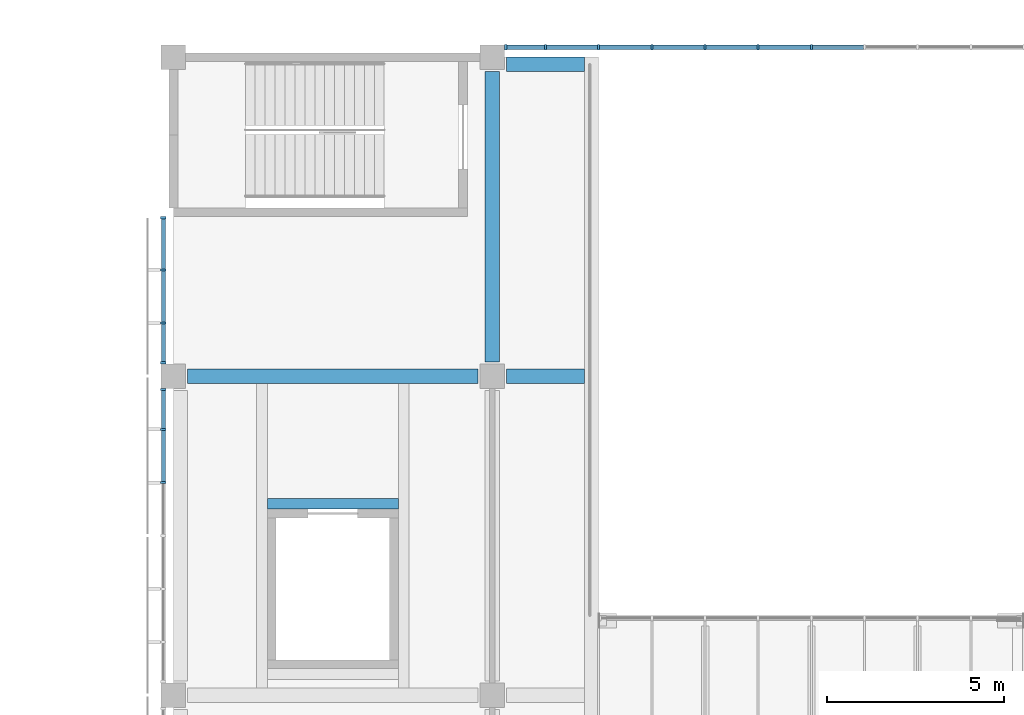
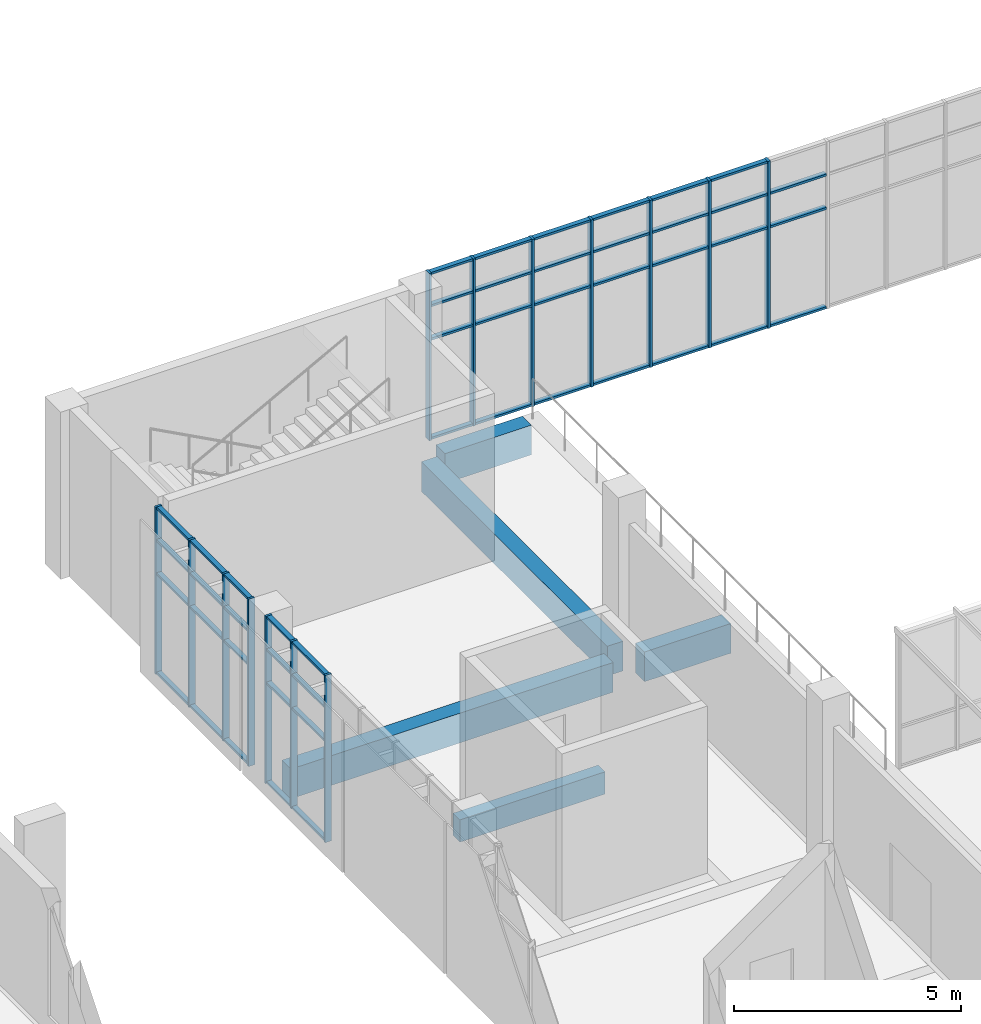
# One storey, part 28 of 106: 61 members, 5 beams, 3 elements without a shape of their own.
"""IFC4 building model written with IfcOpenShell, lengths in metres."""

from ifc_helpers import new_model, si_unit, direction, frame, origin, origin_2d, place, context, subcontext, project, spatial, rectangle, extrude, material, layer, layer_set, material_profile, profile_set, type_object, element, aggregate, save


model = new_model("IFC4")

# Units and contexts
model_context = context("Model", 3, precision=1e-05, world=origin(), true_north=direction((0.0, 1.0)))
body_context = subcontext(model_context, "Body", "Model", "MODEL_VIEW")
ifc_project = project(units=[si_unit("LENGTHUNIT", "METRE"), si_unit("AREAUNIT", "SQUARE_METRE"), si_unit("VOLUMEUNIT", "CUBIC_METRE"), si_unit("PLANEANGLEUNIT", "RADIAN"), si_unit("MASSUNIT", "GRAM", prefix="KILO")], contexts=[model_context])

# Site, building, storey
site_placement = place(None, origin())
site = spatial("IfcSite", under=ifc_project, at=site_placement, CompositionType="ELEMENT")
building_placement = place(site_placement, origin())
building = spatial("IfcBuilding", under=site, at=building_placement, Name="Guidao Yard Department Store", CompositionType="ELEMENT")
storey_placement = place(building_placement, frame((0.0, 0.0, 10.5)))
storey = spatial("IfcBuildingStorey", under=building, at=storey_placement, Name="L02", CompositionType="ELEMENT", Elevation=10.5)

# Beams
ifc_material_1 = material(Name="Concrete C40", Category="concrete")
ifc_material_profile_1 = material_profile(ifc_material_1, rectangle(XDim=0.39990234375, YDim=0.800048828125, at=origin_2d()), Name="Edge beam 400 x 800 C40")
ifc_profile_set_1 = profile_set([ifc_material_profile_1], Name="Concrete C40")
beam_type_1 = type_object("IfcBeamType", Name="Edge beam 400 x 800 C40", PredefinedType="BEAM", material=ifc_profile_set_1)
beam_1_placement = place(storey_placement, frame((81.0, 99.39990234375, -0.39990234375), z_axis=(0.0, 1.0, 0.0), x_axis=(-1.0, 0.0, 0.0)))
element("IfcBeam", 1, at=beam_1_placement, inside=storey, type_object=beam_type_1, Name="Beam EB38", PredefinedType="BEAM", context=body_context, shape_type="SweptSolid", body=[
    extrude(rectangle(XDim=0.39990234375, YDim=0.800048828125, at=origin_2d()), origin(), (0.0, 0.0, 1.0), 8.2001953125),
])
for number, where, z_axis, x_axis, name in (
    (2, (81.39990234375, 99.0, -0.39990234375), (1.0, 0.0, 0.0), (0.0, 1.0, 0.0), "Beam EB43"),
    (3, (81.39990234375, 107.800048828125, -0.39990234375), (1.0, 0.0, 0.0), (0.0, 1.0, 0.0), "Beam EB44"),
):
    element("IfcBeam", number, at=place(storey_placement, frame(where, z_axis=z_axis, x_axis=x_axis)), inside=storey, type_object=beam_type_1, Name=name, PredefinedType="BEAM", context=body_context, shape_type="SweptSolid", body=[
        extrude(rectangle(XDim=0.39990234375, YDim=0.800048828125, at=origin_2d()), origin(), (0.0, 0.0, 1.0), 2.2001953125),
    ])
beam_2_placement = place(storey_placement, frame((72.39990234375, 99.0, -0.39990234375), z_axis=(1.0, 0.0, 0.0), x_axis=(0.0, 1.0, 0.0)))
element("IfcBeam", 4, at=beam_2_placement, inside=storey, type_object=beam_type_1, Name="Beam EB82", PredefinedType="BEAM", context=body_context, shape_type="SweptSolid", body=[
    extrude(rectangle(XDim=0.39990234375, YDim=0.800048828125, at=origin_2d()), origin(), (0.0, 0.0, 1.0), 8.2001953125),
])

# Curtain wall, members
ifc_material_2 = material(Name="Aluminium and glass", Category="aluminium")
ifc_layer = layer(ifc_material_2, 0.159912109375)
ifc_layer_set = layer_set([ifc_layer], Name="Shopfront curtain wall CW1 1500 module")
curtain_wall_type = type_object("IfcCurtainWallType", Name="Shopfront curtain wall CW1 1500 module", PredefinedType="NOTDEFINED", material=ifc_layer_set)
curtain_wall_1_placement = place(storey_placement, origin())
curtain_wall_1 = element("IfcCurtainWall", 5, at=curtain_wall_1_placement, inside=storey, type_object=curtain_wall_type, Name="Arcade shop front", PredefinedType="NOTDEFINED")
ifc_material_3 = material(Name="Aluminium 6063-T5", Category="aluminium")
ifc_material_profile_2 = material_profile(ifc_material_3, rectangle(XDim=0.06005859375, YDim=0.159912109375, at=origin_2d()), Name="Mullion M1 60 x 160 aluminium pressure plate")
ifc_profile_set_2 = profile_set([ifc_material_profile_2], Name="Aluminium 6063-T5")
member_type_1 = type_object("IfcMemberType", Name="Mullion M1 60 x 160 aluminium pressure plate", PredefinedType="MULLION", material=ifc_profile_set_2)
member_1_placement = place(storey_placement, frame((71.719970703125, 96.0, 0.0), z_axis=(0.0, 0.0, 1.0), x_axis=(0.0, 1.0, 0.0)))
member_1 = element("IfcMember", 6, at=member_1_placement, type_object=member_type_1, Name="CW-AS-L02-12 mullion 5", PredefinedType="MULLION", context=body_context, shape_type="SweptSolid", body=[
    extrude(rectangle(XDim=0.06005859375, YDim=0.159912109375, at=origin_2d()), origin(), (0.0, 0.0, 1.0), 4.5),
])
member_2_placement = place(storey_placement, frame((71.719970703125, 97.5, 0.0), z_axis=(0.0, 0.0, 1.0), x_axis=(0.0, 1.0, 0.0)))
member_2 = element("IfcMember", 7, at=member_2_placement, type_object=member_type_1, Name="CW-AS-L02-12 mullion 6", PredefinedType="MULLION", context=body_context, shape_type="SweptSolid", body=[
    extrude(rectangle(XDim=0.06005859375, YDim=0.159912109375, at=origin_2d()), origin(), (0.0, 0.0, 1.0), 4.5),
])
member_3_placement = place(storey_placement, frame((71.719970703125, 98.6201171875, 0.0), z_axis=(0.0, 0.0, 1.0), x_axis=(0.0, 1.0, 0.0)))
member_3 = element("IfcMember", 8, at=member_3_placement, type_object=member_type_1, Name="CW-AS-L02-12 mullion 7", PredefinedType="MULLION", context=body_context, shape_type="SweptSolid", body=[
    extrude(rectangle(XDim=0.06005859375, YDim=0.159912109375, at=origin_2d()), origin(), (0.0, 0.0, 1.0), 4.5),
])

curtain_wall_2_placement = place(storey_placement, origin())
curtain_wall_2 = element("IfcCurtainWall", 9, at=curtain_wall_2_placement, inside=storey, type_object=curtain_wall_type, Name="Arcade shop front", PredefinedType="NOTDEFINED")
member_4_placement = place(storey_placement, frame((71.719970703125, 99.3798828125, 0.0), z_axis=(0.0, 0.0, 1.0), x_axis=(0.0, 1.0, 0.0)))
member_4 = element("IfcMember", 10, at=member_4_placement, type_object=member_type_1, Name="CW-AS-L02-13 mullion 1", PredefinedType="MULLION", context=body_context, shape_type="SweptSolid", body=[
    extrude(rectangle(XDim=0.06005859375, YDim=0.159912109375, at=origin_2d()), origin(), (0.0, 0.0, 1.0), 4.5),
])
member_5_placement = place(storey_placement, frame((71.719970703125, 100.5, 0.0), z_axis=(0.0, 0.0, 1.0), x_axis=(0.0, 1.0, 0.0)))
member_5 = element("IfcMember", 11, at=member_5_placement, type_object=member_type_1, Name="CW-AS-L02-13 mullion 2", PredefinedType="MULLION", context=body_context, shape_type="SweptSolid", body=[
    extrude(rectangle(XDim=0.06005859375, YDim=0.159912109375, at=origin_2d()), origin(), (0.0, 0.0, 1.0), 4.5),
])
member_6_placement = place(storey_placement, frame((71.719970703125, 102.0, 0.0), z_axis=(0.0, 0.0, 1.0), x_axis=(0.0, 1.0, 0.0)))
member_6 = element("IfcMember", 12, at=member_6_placement, type_object=member_type_1, Name="CW-AS-L02-13 mullion 3", PredefinedType="MULLION", context=body_context, shape_type="SweptSolid", body=[
    extrude(rectangle(XDim=0.06005859375, YDim=0.159912109375, at=origin_2d()), origin(), (0.0, 0.0, 1.0), 4.5),
])
member_7_placement = place(storey_placement, frame((71.719970703125, 103.469970703125, 0.0), z_axis=(0.0, 0.0, 1.0), x_axis=(0.0, 1.0, 0.0)))
member_7 = element("IfcMember", 13, at=member_7_placement, type_object=member_type_1, Name="CW-AS-L02-13 mullion 4", PredefinedType="MULLION", context=body_context, shape_type="SweptSolid", body=[
    extrude(rectangle(XDim=0.06005859375, YDim=0.159912109375, at=origin_2d()), origin(), (0.0, 0.0, 1.0), 4.5),
])

curtain_wall_3_placement = place(storey_placement, origin())
curtain_wall_3 = element("IfcCurtainWall", 14, at=curtain_wall_3_placement, inside=storey, type_object=curtain_wall_type, Name="Arcade gable glazing", PredefinedType="NOTDEFINED")
member_8_placement = place(storey_placement, frame((81.3798828125, 108.280029296875, 0.0), z_axis=(0.0, 0.0, 1.0), x_axis=(1.0, 0.0, 0.0)))
member_8 = element("IfcMember", 15, at=member_8_placement, type_object=member_type_1, Name="CW-AG-L02-01 mullion 1", PredefinedType="MULLION", context=body_context, shape_type="SweptSolid", body=[
    extrude(rectangle(XDim=0.06005859375, YDim=0.159912109375, at=origin_2d()), origin(), (0.0, 0.0, 1.0), 4.5),
])
member_9_placement = place(storey_placement, frame((82.5, 108.280029296875, 0.0), z_axis=(0.0, 0.0, 1.0), x_axis=(1.0, 0.0, 0.0)))
member_9 = element("IfcMember", 16, at=member_9_placement, type_object=member_type_1, Name="CW-AG-L02-01 mullion 2", PredefinedType="MULLION", context=body_context, shape_type="SweptSolid", body=[
    extrude(rectangle(XDim=0.06005859375, YDim=0.159912109375, at=origin_2d()), origin(), (0.0, 0.0, 1.0), 4.5),
])
member_10_placement = place(storey_placement, frame((84.0, 108.280029296875, 0.0), z_axis=(0.0, 0.0, 1.0), x_axis=(1.0, 0.0, 0.0)))
member_10 = element("IfcMember", 17, at=member_10_placement, type_object=member_type_1, Name="CW-AG-L02-01 mullion 3", PredefinedType="MULLION", context=body_context, shape_type="SweptSolid", body=[
    extrude(rectangle(XDim=0.06005859375, YDim=0.159912109375, at=origin_2d()), origin(), (0.0, 0.0, 1.0), 4.5),
])
member_11_placement = place(storey_placement, frame((85.5, 108.280029296875, 0.0), z_axis=(0.0, 0.0, 1.0), x_axis=(1.0, 0.0, 0.0)))
member_11 = element("IfcMember", 18, at=member_11_placement, type_object=member_type_1, Name="CW-AG-L02-01 mullion 4", PredefinedType="MULLION", context=body_context, shape_type="SweptSolid", body=[
    extrude(rectangle(XDim=0.06005859375, YDim=0.159912109375, at=origin_2d()), origin(), (0.0, 0.0, 1.0), 4.5),
])
member_12_placement = place(storey_placement, frame((87.0, 108.280029296875, 0.0), z_axis=(0.0, 0.0, 1.0), x_axis=(1.0, 0.0, 0.0)))
member_12 = element("IfcMember", 19, at=member_12_placement, type_object=member_type_1, Name="CW-AG-L02-01 mullion 5", PredefinedType="MULLION", context=body_context, shape_type="SweptSolid", body=[
    extrude(rectangle(XDim=0.06005859375, YDim=0.159912109375, at=origin_2d()), origin(), (0.0, 0.0, 1.0), 4.5),
])
member_13_placement = place(storey_placement, frame((88.5, 108.280029296875, 0.0), z_axis=(0.0, 0.0, 1.0), x_axis=(1.0, 0.0, 0.0)))
member_13 = element("IfcMember", 20, at=member_13_placement, type_object=member_type_1, Name="CW-AG-L02-01 mullion 6", PredefinedType="MULLION", context=body_context, shape_type="SweptSolid", body=[
    extrude(rectangle(XDim=0.06005859375, YDim=0.159912109375, at=origin_2d()), origin(), (0.0, 0.0, 1.0), 4.5),
])
member_14_placement = place(storey_placement, frame((90.0, 108.280029296875, 0.0), z_axis=(0.0, 0.0, 1.0), x_axis=(1.0, 0.0, 0.0)))
member_14 = element("IfcMember", 21, at=member_14_placement, type_object=member_type_1, Name="CW-AG-L02-01 mullion 7", PredefinedType="MULLION", context=body_context, shape_type="SweptSolid", body=[
    extrude(rectangle(XDim=0.06005859375, YDim=0.159912109375, at=origin_2d()), origin(), (0.0, 0.0, 1.0), 4.5),
])

# Beam
ifc_material_4 = material(Name="Concrete C40", Category="concrete")
ifc_material_profile_3 = material_profile(ifc_material_4, rectangle(XDim=0.300048828125, YDim=0.60009765625, at=origin_2d()), Name="Opening beam 300 x 600 C40")
ifc_profile_set_3 = profile_set([ifc_material_profile_3], Name="Concrete C40")
beam_type_2 = type_object("IfcBeamType", Name="Opening beam 300 x 600 C40", PredefinedType="BEAM", material=ifc_profile_set_3)
beam_3_placement = place(storey_placement, frame((74.64990234375, 95.39990234375, -0.300048828125), z_axis=(1.0, 0.0, 0.0), x_axis=(0.0, 1.0, 0.0)))
element("IfcBeam", 22, at=beam_3_placement, inside=storey, type_object=beam_type_2, Name="Beam OB32", PredefinedType="BEAM", context=body_context, shape_type="SweptSolid", body=[
    extrude(rectangle(XDim=0.300048828125, YDim=0.60009765625, at=origin_2d()), origin(), (0.0, 0.0, 1.0), 3.7001953125),
])

# Member
ifc_material_5 = material(Name="Aluminium 6063-T5", Category="aluminium")
ifc_material_profile_4 = material_profile(ifc_material_5, rectangle(XDim=0.1201171875, YDim=0.06005859375, at=origin_2d()), Name="Transom T1 60 x 120 aluminium pressure plate")
ifc_profile_set_4 = profile_set([ifc_material_profile_4], Name="Aluminium 6063-T5")
member_type_2 = type_object("IfcMemberType", Name="Transom T1 60 x 120 aluminium pressure plate", PredefinedType="USERDEFINED", material=ifc_profile_set_4)
member_15_placement = place(storey_placement, frame((71.719970703125, 96.030029296875, 0.030029296875), z_axis=(0.0, 1.0, 0.0), x_axis=(-1.0, 0.0, 0.0)))
member_15 = element("IfcMember", 23, at=member_15_placement, type_object=member_type_2, Name="CW-AS-L02-12 transom 5.1", ObjectType="TRANSOM", PredefinedType="USERDEFINED", context=body_context, shape_type="SweptSolid", body=[
    extrude(rectangle(XDim=0.1201171875, YDim=0.06005859375, at=origin_2d()), origin(), (0.0, 0.0, 1.0), 1.43994140625),
])

member_16_placement = place(storey_placement, frame((71.719970703125, 96.030029296875, 2.699951171875), z_axis=(0.0, 1.0, 0.0), x_axis=(-1.0, 0.0, 0.0)))
member_16 = element("IfcMember", 24, at=member_16_placement, type_object=member_type_2, Name="CW-AS-L02-12 transom 5.2", ObjectType="TRANSOM", PredefinedType="USERDEFINED", context=body_context, shape_type="SweptSolid", body=[
    extrude(rectangle(XDim=0.1201171875, YDim=0.06005859375, at=origin_2d()), origin(), (0.0, 0.0, 1.0), 1.43994140625),
])

member_17_placement = place(storey_placement, frame((71.719970703125, 96.030029296875, 3.60009765625), z_axis=(0.0, 1.0, 0.0), x_axis=(-1.0, 0.0, 0.0)))
member_17 = element("IfcMember", 25, at=member_17_placement, type_object=member_type_2, Name="CW-AS-L02-12 transom 5.3", ObjectType="TRANSOM", PredefinedType="USERDEFINED", context=body_context, shape_type="SweptSolid", body=[
    extrude(rectangle(XDim=0.1201171875, YDim=0.06005859375, at=origin_2d()), origin(), (0.0, 0.0, 1.0), 1.43994140625),
])

member_18_placement = place(storey_placement, frame((71.719970703125, 96.030029296875, 4.469970703125), z_axis=(0.0, 1.0, 0.0), x_axis=(-1.0, 0.0, 0.0)))
member_18 = element("IfcMember", 26, at=member_18_placement, type_object=member_type_2, Name="CW-AS-L02-12 transom 5.4", ObjectType="TRANSOM", PredefinedType="USERDEFINED", context=body_context, shape_type="SweptSolid", body=[
    extrude(rectangle(XDim=0.1201171875, YDim=0.06005859375, at=origin_2d()), origin(), (0.0, 0.0, 1.0), 1.43994140625),
])

member_19_placement = place(storey_placement, frame((71.719970703125, 97.530029296875, 0.030029296875), z_axis=(0.0, 1.0, 0.0), x_axis=(-1.0, 0.0, 0.0)))
member_19 = element("IfcMember", 27, at=member_19_placement, type_object=member_type_2, Name="CW-AS-L02-12 transom 6.1", ObjectType="TRANSOM", PredefinedType="USERDEFINED", context=body_context, shape_type="SweptSolid", body=[
    extrude(rectangle(XDim=0.1201171875, YDim=0.06005859375, at=origin_2d()), origin(), (0.0, 0.0, 1.0), 1.06005859375),
])

member_20_placement = place(storey_placement, frame((71.719970703125, 97.530029296875, 2.699951171875), z_axis=(0.0, 1.0, 0.0), x_axis=(-1.0, 0.0, 0.0)))
member_20 = element("IfcMember", 28, at=member_20_placement, type_object=member_type_2, Name="CW-AS-L02-12 transom 6.2", ObjectType="TRANSOM", PredefinedType="USERDEFINED", context=body_context, shape_type="SweptSolid", body=[
    extrude(rectangle(XDim=0.1201171875, YDim=0.06005859375, at=origin_2d()), origin(), (0.0, 0.0, 1.0), 1.06005859375),
])

member_21_placement = place(storey_placement, frame((71.719970703125, 97.530029296875, 3.60009765625), z_axis=(0.0, 1.0, 0.0), x_axis=(-1.0, 0.0, 0.0)))
member_21 = element("IfcMember", 29, at=member_21_placement, type_object=member_type_2, Name="CW-AS-L02-12 transom 6.3", ObjectType="TRANSOM", PredefinedType="USERDEFINED", context=body_context, shape_type="SweptSolid", body=[
    extrude(rectangle(XDim=0.1201171875, YDim=0.06005859375, at=origin_2d()), origin(), (0.0, 0.0, 1.0), 1.06005859375),
])

member_22_placement = place(storey_placement, frame((71.719970703125, 97.530029296875, 4.469970703125), z_axis=(0.0, 1.0, 0.0), x_axis=(-1.0, 0.0, 0.0)))
member_22 = element("IfcMember", 30, at=member_22_placement, type_object=member_type_2, Name="CW-AS-L02-12 transom 6.4", ObjectType="TRANSOM", PredefinedType="USERDEFINED", context=body_context, shape_type="SweptSolid", body=[
    extrude(rectangle(XDim=0.1201171875, YDim=0.06005859375, at=origin_2d()), origin(), (0.0, 0.0, 1.0), 1.06005859375),
])

aggregate(curtain_wall_1, [member_1, member_2, member_3, member_15, member_16, member_17, member_18, member_19, member_20, member_21, member_22])

member_23_placement = place(storey_placement, frame((71.719970703125, 99.409912109375, 0.030029296875), z_axis=(0.0, 1.0, 0.0), x_axis=(-1.0, 0.0, 0.0)))
member_23 = element("IfcMember", 31, at=member_23_placement, type_object=member_type_2, Name="CW-AS-L02-13 transom 1.1", ObjectType="TRANSOM", PredefinedType="USERDEFINED", context=body_context, shape_type="SweptSolid", body=[
    extrude(rectangle(XDim=0.1201171875, YDim=0.06005859375, at=origin_2d()), origin(), (0.0, 0.0, 1.0), 1.06005859375),
])

member_24_placement = place(storey_placement, frame((71.719970703125, 99.409912109375, 2.699951171875), z_axis=(0.0, 1.0, 0.0), x_axis=(-1.0, 0.0, 0.0)))
member_24 = element("IfcMember", 32, at=member_24_placement, type_object=member_type_2, Name="CW-AS-L02-13 transom 1.2", ObjectType="TRANSOM", PredefinedType="USERDEFINED", context=body_context, shape_type="SweptSolid", body=[
    extrude(rectangle(XDim=0.1201171875, YDim=0.06005859375, at=origin_2d()), origin(), (0.0, 0.0, 1.0), 1.06005859375),
])

member_25_placement = place(storey_placement, frame((71.719970703125, 99.409912109375, 3.60009765625), z_axis=(0.0, 1.0, 0.0), x_axis=(-1.0, 0.0, 0.0)))
member_25 = element("IfcMember", 33, at=member_25_placement, type_object=member_type_2, Name="CW-AS-L02-13 transom 1.3", ObjectType="TRANSOM", PredefinedType="USERDEFINED", context=body_context, shape_type="SweptSolid", body=[
    extrude(rectangle(XDim=0.1201171875, YDim=0.06005859375, at=origin_2d()), origin(), (0.0, 0.0, 1.0), 1.06005859375),
])

member_26_placement = place(storey_placement, frame((71.719970703125, 99.409912109375, 4.469970703125), z_axis=(0.0, 1.0, 0.0), x_axis=(-1.0, 0.0, 0.0)))
member_26 = element("IfcMember", 34, at=member_26_placement, type_object=member_type_2, Name="CW-AS-L02-13 transom 1.4", ObjectType="TRANSOM", PredefinedType="USERDEFINED", context=body_context, shape_type="SweptSolid", body=[
    extrude(rectangle(XDim=0.1201171875, YDim=0.06005859375, at=origin_2d()), origin(), (0.0, 0.0, 1.0), 1.06005859375),
])

member_27_placement = place(storey_placement, frame((71.719970703125, 100.530029296875, 0.030029296875), z_axis=(0.0, 1.0, 0.0), x_axis=(-1.0, 0.0, 0.0)))
member_27 = element("IfcMember", 35, at=member_27_placement, type_object=member_type_2, Name="CW-AS-L02-13 transom 2.1", ObjectType="TRANSOM", PredefinedType="USERDEFINED", context=body_context, shape_type="SweptSolid", body=[
    extrude(rectangle(XDim=0.1201171875, YDim=0.06005859375, at=origin_2d()), origin(), (0.0, 0.0, 1.0), 1.43994140625),
])

member_28_placement = place(storey_placement, frame((71.719970703125, 100.530029296875, 2.699951171875), z_axis=(0.0, 1.0, 0.0), x_axis=(-1.0, 0.0, 0.0)))
member_28 = element("IfcMember", 36, at=member_28_placement, type_object=member_type_2, Name="CW-AS-L02-13 transom 2.2", ObjectType="TRANSOM", PredefinedType="USERDEFINED", context=body_context, shape_type="SweptSolid", body=[
    extrude(rectangle(XDim=0.1201171875, YDim=0.06005859375, at=origin_2d()), origin(), (0.0, 0.0, 1.0), 1.43994140625),
])

member_29_placement = place(storey_placement, frame((71.719970703125, 100.530029296875, 3.60009765625), z_axis=(0.0, 1.0, 0.0), x_axis=(-1.0, 0.0, 0.0)))
member_29 = element("IfcMember", 37, at=member_29_placement, type_object=member_type_2, Name="CW-AS-L02-13 transom 2.3", ObjectType="TRANSOM", PredefinedType="USERDEFINED", context=body_context, shape_type="SweptSolid", body=[
    extrude(rectangle(XDim=0.1201171875, YDim=0.06005859375, at=origin_2d()), origin(), (0.0, 0.0, 1.0), 1.43994140625),
])

member_30_placement = place(storey_placement, frame((71.719970703125, 100.530029296875, 4.469970703125), z_axis=(0.0, 1.0, 0.0), x_axis=(-1.0, 0.0, 0.0)))
member_30 = element("IfcMember", 38, at=member_30_placement, type_object=member_type_2, Name="CW-AS-L02-13 transom 2.4", ObjectType="TRANSOM", PredefinedType="USERDEFINED", context=body_context, shape_type="SweptSolid", body=[
    extrude(rectangle(XDim=0.1201171875, YDim=0.06005859375, at=origin_2d()), origin(), (0.0, 0.0, 1.0), 1.43994140625),
])

member_31_placement = place(storey_placement, frame((71.719970703125, 102.030029296875, 0.030029296875), z_axis=(0.0, 1.0, 0.0), x_axis=(-1.0, 0.0, 0.0)))
member_31 = element("IfcMember", 39, at=member_31_placement, type_object=member_type_2, Name="CW-AS-L02-13 transom 3.1", ObjectType="TRANSOM", PredefinedType="USERDEFINED", context=body_context, shape_type="SweptSolid", body=[
    extrude(rectangle(XDim=0.1201171875, YDim=0.06005859375, at=origin_2d()), origin(), (0.0, 0.0, 1.0), 1.409912109375),
])

member_32_placement = place(storey_placement, frame((71.719970703125, 102.030029296875, 2.699951171875), z_axis=(0.0, 1.0, 0.0), x_axis=(-1.0, 0.0, 0.0)))
member_32 = element("IfcMember", 40, at=member_32_placement, type_object=member_type_2, Name="CW-AS-L02-13 transom 3.2", ObjectType="TRANSOM", PredefinedType="USERDEFINED", context=body_context, shape_type="SweptSolid", body=[
    extrude(rectangle(XDim=0.1201171875, YDim=0.06005859375, at=origin_2d()), origin(), (0.0, 0.0, 1.0), 1.409912109375),
])

member_33_placement = place(storey_placement, frame((71.719970703125, 102.030029296875, 3.60009765625), z_axis=(0.0, 1.0, 0.0), x_axis=(-1.0, 0.0, 0.0)))
member_33 = element("IfcMember", 41, at=member_33_placement, type_object=member_type_2, Name="CW-AS-L02-13 transom 3.3", ObjectType="TRANSOM", PredefinedType="USERDEFINED", context=body_context, shape_type="SweptSolid", body=[
    extrude(rectangle(XDim=0.1201171875, YDim=0.06005859375, at=origin_2d()), origin(), (0.0, 0.0, 1.0), 1.409912109375),
])

member_34_placement = place(storey_placement, frame((71.719970703125, 102.030029296875, 4.469970703125), z_axis=(0.0, 1.0, 0.0), x_axis=(-1.0, 0.0, 0.0)))
member_34 = element("IfcMember", 42, at=member_34_placement, type_object=member_type_2, Name="CW-AS-L02-13 transom 3.4", ObjectType="TRANSOM", PredefinedType="USERDEFINED", context=body_context, shape_type="SweptSolid", body=[
    extrude(rectangle(XDim=0.1201171875, YDim=0.06005859375, at=origin_2d()), origin(), (0.0, 0.0, 1.0), 1.409912109375),
])

aggregate(curtain_wall_2, [member_4, member_5, member_6, member_7, member_23, member_24, member_25, member_26, member_27, member_28, member_29, member_30, member_31, member_32, member_33, member_34])

member_35_placement = place(storey_placement, frame((81.409912109375, 108.280029296875, 0.030029296875), z_axis=(1.0, 0.0, 0.0), x_axis=(0.0, 1.0, 0.0)))
member_35 = element("IfcMember", 43, at=member_35_placement, type_object=member_type_2, Name="CW-AG-L02-01 transom 1.1", ObjectType="TRANSOM", PredefinedType="USERDEFINED", context=body_context, shape_type="SweptSolid", body=[
    extrude(rectangle(XDim=0.1201171875, YDim=0.06005859375, at=origin_2d()), origin(), (0.0, 0.0, 1.0), 1.06005859375),
])

member_36_placement = place(storey_placement, frame((81.409912109375, 108.280029296875, 2.699951171875), z_axis=(1.0, 0.0, 0.0), x_axis=(0.0, 1.0, 0.0)))
member_36 = element("IfcMember", 44, at=member_36_placement, type_object=member_type_2, Name="CW-AG-L02-01 transom 1.2", ObjectType="TRANSOM", PredefinedType="USERDEFINED", context=body_context, shape_type="SweptSolid", body=[
    extrude(rectangle(XDim=0.1201171875, YDim=0.06005859375, at=origin_2d()), origin(), (0.0, 0.0, 1.0), 1.06005859375),
])

member_37_placement = place(storey_placement, frame((81.409912109375, 108.280029296875, 3.60009765625), z_axis=(1.0, 0.0, 0.0), x_axis=(0.0, 1.0, 0.0)))
member_37 = element("IfcMember", 45, at=member_37_placement, type_object=member_type_2, Name="CW-AG-L02-01 transom 1.3", ObjectType="TRANSOM", PredefinedType="USERDEFINED", context=body_context, shape_type="SweptSolid", body=[
    extrude(rectangle(XDim=0.1201171875, YDim=0.06005859375, at=origin_2d()), origin(), (0.0, 0.0, 1.0), 1.06005859375),
])

member_38_placement = place(storey_placement, frame((81.409912109375, 108.280029296875, 4.469970703125), z_axis=(1.0, 0.0, 0.0), x_axis=(0.0, 1.0, 0.0)))
member_38 = element("IfcMember", 46, at=member_38_placement, type_object=member_type_2, Name="CW-AG-L02-01 transom 1.4", ObjectType="TRANSOM", PredefinedType="USERDEFINED", context=body_context, shape_type="SweptSolid", body=[
    extrude(rectangle(XDim=0.1201171875, YDim=0.06005859375, at=origin_2d()), origin(), (0.0, 0.0, 1.0), 1.06005859375),
])

member_39_placement = place(storey_placement, frame((82.530029296875, 108.280029296875, 0.030029296875), z_axis=(1.0, 0.0, 0.0), x_axis=(0.0, 1.0, 0.0)))
member_39 = element("IfcMember", 47, at=member_39_placement, type_object=member_type_2, Name="CW-AG-L02-01 transom 2.1", ObjectType="TRANSOM", PredefinedType="USERDEFINED", context=body_context, shape_type="SweptSolid", body=[
    extrude(rectangle(XDim=0.1201171875, YDim=0.06005859375, at=origin_2d()), origin(), (0.0, 0.0, 1.0), 1.43994140625),
])

member_40_placement = place(storey_placement, frame((82.530029296875, 108.280029296875, 2.699951171875), z_axis=(1.0, 0.0, 0.0), x_axis=(0.0, 1.0, 0.0)))
member_40 = element("IfcMember", 48, at=member_40_placement, type_object=member_type_2, Name="CW-AG-L02-01 transom 2.2", ObjectType="TRANSOM", PredefinedType="USERDEFINED", context=body_context, shape_type="SweptSolid", body=[
    extrude(rectangle(XDim=0.1201171875, YDim=0.06005859375, at=origin_2d()), origin(), (0.0, 0.0, 1.0), 1.43994140625),
])

member_41_placement = place(storey_placement, frame((82.530029296875, 108.280029296875, 3.60009765625), z_axis=(1.0, 0.0, 0.0), x_axis=(0.0, 1.0, 0.0)))
member_41 = element("IfcMember", 49, at=member_41_placement, type_object=member_type_2, Name="CW-AG-L02-01 transom 2.3", ObjectType="TRANSOM", PredefinedType="USERDEFINED", context=body_context, shape_type="SweptSolid", body=[
    extrude(rectangle(XDim=0.1201171875, YDim=0.06005859375, at=origin_2d()), origin(), (0.0, 0.0, 1.0), 1.43994140625),
])

member_42_placement = place(storey_placement, frame((82.530029296875, 108.280029296875, 4.469970703125), z_axis=(1.0, 0.0, 0.0), x_axis=(0.0, 1.0, 0.0)))
member_42 = element("IfcMember", 50, at=member_42_placement, type_object=member_type_2, Name="CW-AG-L02-01 transom 2.4", ObjectType="TRANSOM", PredefinedType="USERDEFINED", context=body_context, shape_type="SweptSolid", body=[
    extrude(rectangle(XDim=0.1201171875, YDim=0.06005859375, at=origin_2d()), origin(), (0.0, 0.0, 1.0), 1.43994140625),
])

member_43_placement = place(storey_placement, frame((84.030029296875, 108.280029296875, 0.030029296875), z_axis=(1.0, 0.0, 0.0), x_axis=(0.0, 1.0, 0.0)))
member_43 = element("IfcMember", 51, at=member_43_placement, type_object=member_type_2, Name="CW-AG-L02-01 transom 3.1", ObjectType="TRANSOM", PredefinedType="USERDEFINED", context=body_context, shape_type="SweptSolid", body=[
    extrude(rectangle(XDim=0.1201171875, YDim=0.06005859375, at=origin_2d()), origin(), (0.0, 0.0, 1.0), 1.43994140625),
])

member_44_placement = place(storey_placement, frame((84.030029296875, 108.280029296875, 2.699951171875), z_axis=(1.0, 0.0, 0.0), x_axis=(0.0, 1.0, 0.0)))
member_44 = element("IfcMember", 52, at=member_44_placement, type_object=member_type_2, Name="CW-AG-L02-01 transom 3.2", ObjectType="TRANSOM", PredefinedType="USERDEFINED", context=body_context, shape_type="SweptSolid", body=[
    extrude(rectangle(XDim=0.1201171875, YDim=0.06005859375, at=origin_2d()), origin(), (0.0, 0.0, 1.0), 1.43994140625),
])

member_45_placement = place(storey_placement, frame((84.030029296875, 108.280029296875, 3.60009765625), z_axis=(1.0, 0.0, 0.0), x_axis=(0.0, 1.0, 0.0)))
member_45 = element("IfcMember", 53, at=member_45_placement, type_object=member_type_2, Name="CW-AG-L02-01 transom 3.3", ObjectType="TRANSOM", PredefinedType="USERDEFINED", context=body_context, shape_type="SweptSolid", body=[
    extrude(rectangle(XDim=0.1201171875, YDim=0.06005859375, at=origin_2d()), origin(), (0.0, 0.0, 1.0), 1.43994140625),
])

member_46_placement = place(storey_placement, frame((84.030029296875, 108.280029296875, 4.469970703125), z_axis=(1.0, 0.0, 0.0), x_axis=(0.0, 1.0, 0.0)))
member_46 = element("IfcMember", 54, at=member_46_placement, type_object=member_type_2, Name="CW-AG-L02-01 transom 3.4", ObjectType="TRANSOM", PredefinedType="USERDEFINED", context=body_context, shape_type="SweptSolid", body=[
    extrude(rectangle(XDim=0.1201171875, YDim=0.06005859375, at=origin_2d()), origin(), (0.0, 0.0, 1.0), 1.43994140625),
])

member_47_placement = place(storey_placement, frame((85.530029296875, 108.280029296875, 0.030029296875), z_axis=(1.0, 0.0, 0.0), x_axis=(0.0, 1.0, 0.0)))
member_47 = element("IfcMember", 55, at=member_47_placement, type_object=member_type_2, Name="CW-AG-L02-01 transom 4.1", ObjectType="TRANSOM", PredefinedType="USERDEFINED", context=body_context, shape_type="SweptSolid", body=[
    extrude(rectangle(XDim=0.1201171875, YDim=0.06005859375, at=origin_2d()), origin(), (0.0, 0.0, 1.0), 1.43994140625),
])

member_48_placement = place(storey_placement, frame((85.530029296875, 108.280029296875, 2.699951171875), z_axis=(1.0, 0.0, 0.0), x_axis=(0.0, 1.0, 0.0)))
member_48 = element("IfcMember", 56, at=member_48_placement, type_object=member_type_2, Name="CW-AG-L02-01 transom 4.2", ObjectType="TRANSOM", PredefinedType="USERDEFINED", context=body_context, shape_type="SweptSolid", body=[
    extrude(rectangle(XDim=0.1201171875, YDim=0.06005859375, at=origin_2d()), origin(), (0.0, 0.0, 1.0), 1.43994140625),
])

member_49_placement = place(storey_placement, frame((85.530029296875, 108.280029296875, 3.60009765625), z_axis=(1.0, 0.0, 0.0), x_axis=(0.0, 1.0, 0.0)))
member_49 = element("IfcMember", 57, at=member_49_placement, type_object=member_type_2, Name="CW-AG-L02-01 transom 4.3", ObjectType="TRANSOM", PredefinedType="USERDEFINED", context=body_context, shape_type="SweptSolid", body=[
    extrude(rectangle(XDim=0.1201171875, YDim=0.06005859375, at=origin_2d()), origin(), (0.0, 0.0, 1.0), 1.43994140625),
])

member_50_placement = place(storey_placement, frame((85.530029296875, 108.280029296875, 4.469970703125), z_axis=(1.0, 0.0, 0.0), x_axis=(0.0, 1.0, 0.0)))
member_50 = element("IfcMember", 58, at=member_50_placement, type_object=member_type_2, Name="CW-AG-L02-01 transom 4.4", ObjectType="TRANSOM", PredefinedType="USERDEFINED", context=body_context, shape_type="SweptSolid", body=[
    extrude(rectangle(XDim=0.1201171875, YDim=0.06005859375, at=origin_2d()), origin(), (0.0, 0.0, 1.0), 1.43994140625),
])

member_51_placement = place(storey_placement, frame((87.030029296875, 108.280029296875, 0.030029296875), z_axis=(1.0, 0.0, 0.0), x_axis=(0.0, 1.0, 0.0)))
member_51 = element("IfcMember", 59, at=member_51_placement, type_object=member_type_2, Name="CW-AG-L02-01 transom 5.1", ObjectType="TRANSOM", PredefinedType="USERDEFINED", context=body_context, shape_type="SweptSolid", body=[
    extrude(rectangle(XDim=0.1201171875, YDim=0.06005859375, at=origin_2d()), origin(), (0.0, 0.0, 1.0), 1.43994140625),
])

member_52_placement = place(storey_placement, frame((87.030029296875, 108.280029296875, 2.699951171875), z_axis=(1.0, 0.0, 0.0), x_axis=(0.0, 1.0, 0.0)))
member_52 = element("IfcMember", 60, at=member_52_placement, type_object=member_type_2, Name="CW-AG-L02-01 transom 5.2", ObjectType="TRANSOM", PredefinedType="USERDEFINED", context=body_context, shape_type="SweptSolid", body=[
    extrude(rectangle(XDim=0.1201171875, YDim=0.06005859375, at=origin_2d()), origin(), (0.0, 0.0, 1.0), 1.43994140625),
])

member_53_placement = place(storey_placement, frame((87.030029296875, 108.280029296875, 3.60009765625), z_axis=(1.0, 0.0, 0.0), x_axis=(0.0, 1.0, 0.0)))
member_53 = element("IfcMember", 61, at=member_53_placement, type_object=member_type_2, Name="CW-AG-L02-01 transom 5.3", ObjectType="TRANSOM", PredefinedType="USERDEFINED", context=body_context, shape_type="SweptSolid", body=[
    extrude(rectangle(XDim=0.1201171875, YDim=0.06005859375, at=origin_2d()), origin(), (0.0, 0.0, 1.0), 1.43994140625),
])

member_54_placement = place(storey_placement, frame((87.030029296875, 108.280029296875, 4.469970703125), z_axis=(1.0, 0.0, 0.0), x_axis=(0.0, 1.0, 0.0)))
member_54 = element("IfcMember", 62, at=member_54_placement, type_object=member_type_2, Name="CW-AG-L02-01 transom 5.4", ObjectType="TRANSOM", PredefinedType="USERDEFINED", context=body_context, shape_type="SweptSolid", body=[
    extrude(rectangle(XDim=0.1201171875, YDim=0.06005859375, at=origin_2d()), origin(), (0.0, 0.0, 1.0), 1.43994140625),
])

member_55_placement = place(storey_placement, frame((88.530029296875, 108.280029296875, 0.030029296875), z_axis=(1.0, 0.0, 0.0), x_axis=(0.0, 1.0, 0.0)))
member_55 = element("IfcMember", 63, at=member_55_placement, type_object=member_type_2, Name="CW-AG-L02-01 transom 6.1", ObjectType="TRANSOM", PredefinedType="USERDEFINED", context=body_context, shape_type="SweptSolid", body=[
    extrude(rectangle(XDim=0.1201171875, YDim=0.06005859375, at=origin_2d()), origin(), (0.0, 0.0, 1.0), 1.43994140625),
])

member_56_placement = place(storey_placement, frame((88.530029296875, 108.280029296875, 2.699951171875), z_axis=(1.0, 0.0, 0.0), x_axis=(0.0, 1.0, 0.0)))
member_56 = element("IfcMember", 64, at=member_56_placement, type_object=member_type_2, Name="CW-AG-L02-01 transom 6.2", ObjectType="TRANSOM", PredefinedType="USERDEFINED", context=body_context, shape_type="SweptSolid", body=[
    extrude(rectangle(XDim=0.1201171875, YDim=0.06005859375, at=origin_2d()), origin(), (0.0, 0.0, 1.0), 1.43994140625),
])

member_57_placement = place(storey_placement, frame((88.530029296875, 108.280029296875, 3.60009765625), z_axis=(1.0, 0.0, 0.0), x_axis=(0.0, 1.0, 0.0)))
member_57 = element("IfcMember", 65, at=member_57_placement, type_object=member_type_2, Name="CW-AG-L02-01 transom 6.3", ObjectType="TRANSOM", PredefinedType="USERDEFINED", context=body_context, shape_type="SweptSolid", body=[
    extrude(rectangle(XDim=0.1201171875, YDim=0.06005859375, at=origin_2d()), origin(), (0.0, 0.0, 1.0), 1.43994140625),
])

member_58_placement = place(storey_placement, frame((88.530029296875, 108.280029296875, 4.469970703125), z_axis=(1.0, 0.0, 0.0), x_axis=(0.0, 1.0, 0.0)))
member_58 = element("IfcMember", 66, at=member_58_placement, type_object=member_type_2, Name="CW-AG-L02-01 transom 6.4", ObjectType="TRANSOM", PredefinedType="USERDEFINED", context=body_context, shape_type="SweptSolid", body=[
    extrude(rectangle(XDim=0.1201171875, YDim=0.06005859375, at=origin_2d()), origin(), (0.0, 0.0, 1.0), 1.43994140625),
])

member_59_placement = place(storey_placement, frame((90.030029296875, 108.280029296875, 0.030029296875), z_axis=(1.0, 0.0, 0.0), x_axis=(0.0, 1.0, 0.0)))
member_59 = element("IfcMember", 67, at=member_59_placement, type_object=member_type_2, Name="CW-AG-L02-01 transom 7.1", ObjectType="TRANSOM", PredefinedType="USERDEFINED", context=body_context, shape_type="SweptSolid", body=[
    extrude(rectangle(XDim=0.1201171875, YDim=0.06005859375, at=origin_2d()), origin(), (0.0, 0.0, 1.0), 1.43994140625),
])

member_60_placement = place(storey_placement, frame((90.030029296875, 108.280029296875, 2.699951171875), z_axis=(1.0, 0.0, 0.0), x_axis=(0.0, 1.0, 0.0)))
member_60 = element("IfcMember", 68, at=member_60_placement, type_object=member_type_2, Name="CW-AG-L02-01 transom 7.2", ObjectType="TRANSOM", PredefinedType="USERDEFINED", context=body_context, shape_type="SweptSolid", body=[
    extrude(rectangle(XDim=0.1201171875, YDim=0.06005859375, at=origin_2d()), origin(), (0.0, 0.0, 1.0), 1.43994140625),
])

member_61_placement = place(storey_placement, frame((90.030029296875, 108.280029296875, 3.60009765625), z_axis=(1.0, 0.0, 0.0), x_axis=(0.0, 1.0, 0.0)))
member_61 = element("IfcMember", 69, at=member_61_placement, type_object=member_type_2, Name="CW-AG-L02-01 transom 7.3", ObjectType="TRANSOM", PredefinedType="USERDEFINED", context=body_context, shape_type="SweptSolid", body=[
    extrude(rectangle(XDim=0.1201171875, YDim=0.06005859375, at=origin_2d()), origin(), (0.0, 0.0, 1.0), 1.43994140625),
])

aggregate(curtain_wall_3, [member_8, member_9, member_10, member_11, member_12, member_13, member_14, member_35, member_36, member_37, member_38, member_39, member_40, member_41, member_42, member_43, member_44, member_45, member_46, member_47, member_48, member_49, member_50, member_51, member_52, member_53, member_54, member_55, member_56, member_57, member_58, member_59, member_60, member_61])

save(model, "model.ifc")
